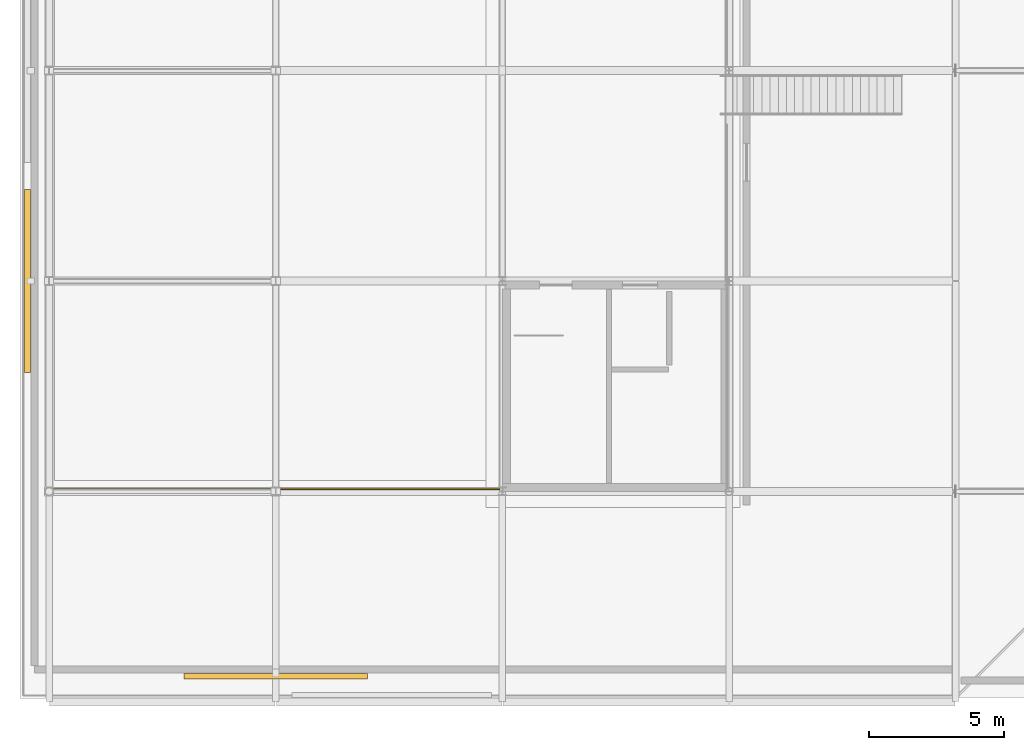
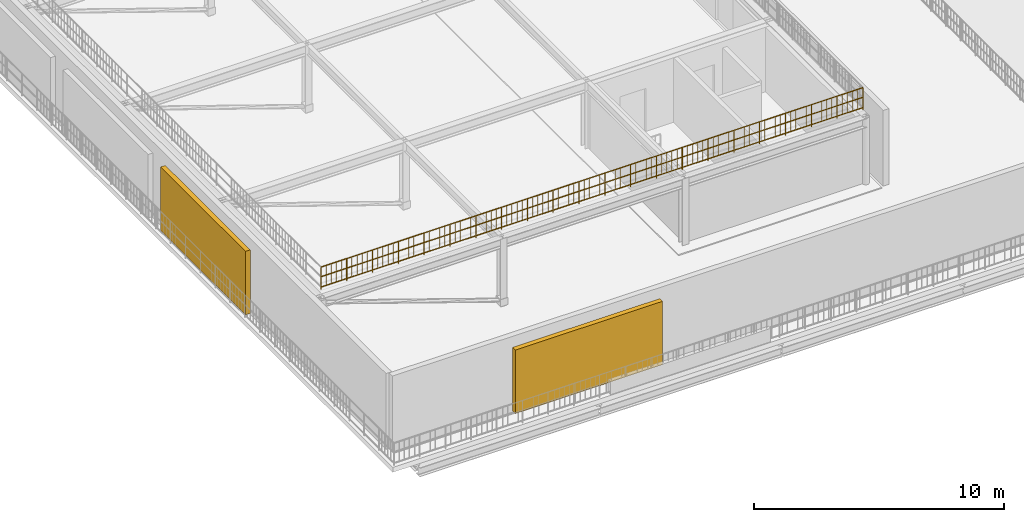
# One storey, part 8 of 16: 2 shading devices, 1 railing.
"""IFC4 building model written with IfcOpenShell, lengths in metres."""

from ifc_helpers import new_model, si_unit, direction, frame, origin, origin_2d, place, context, subcontext, project, spatial, rectangle, circle, extrude, material, layer, layer_set, type_object, element, save


model = new_model("IFC4")

# Units and contexts
model_context = context("Model", 3, precision=1e-05, world=origin(), true_north=direction((0.0, 1.0)))
body_context = subcontext(model_context, "Body", "Model", "MODEL_VIEW")
ifc_project = project(units=[si_unit("LENGTHUNIT", "METRE"), si_unit("AREAUNIT", "SQUARE_METRE"), si_unit("VOLUMEUNIT", "CUBIC_METRE"), si_unit("PLANEANGLEUNIT", "RADIAN"), si_unit("MASSUNIT", "GRAM", prefix="KILO")], contexts=[model_context])

# Site, building, storey
site_placement = place(None, origin())
site = spatial("IfcSite", under=ifc_project, at=site_placement, CompositionType="ELEMENT")
building_placement = place(site_placement, origin())
building = spatial("IfcBuilding", under=site, at=building_placement, Name="Nabrawat Pavilion Hospital", CompositionType="ELEMENT")
storey_placement = place(building_placement, frame((0.0, 0.0, 35.10009765625)))
storey = spatial("IfcBuildingStorey", under=building, at=storey_placement, Name="Roof", CompositionType="ELEMENT", Elevation=35.10009765625)

# Railing
ifc_material_1 = material(Name="Stainless Steel 316", Category="steel")
ifc_layer_1 = layer(ifc_material_1, 0.070068359375, Name="Stainless Steel 316")
ifc_layer_set_1 = layer_set([ifc_layer_1], Name="Stainless Steel 316")
railing_type = type_object("IfcRailingType", Name="Exterior Clinical Terrace Safety Guardrail 1100", PredefinedType="GUARDRAIL", material=ifc_layer_set_1)
railing_placement = place(storey_placement, frame((151.280029296875, 46.8798828125, 3.599853515625)))
element("IfcRailing", 1, at=railing_placement, inside=storey, type_object=railing_type, Name="Rooftop Helipad Deck Safety Perimeter Guardrail South", PredefinedType="GUARDRAIL", context=body_context, shape_type="SweptSolid", body=[
    extrude(circle(Radius=0.02392578125, at=origin_2d()), frame((0.0, 0.0, 1.076171875), z_axis=(1.0, 0.0, 0.0), x_axis=(0.0, 1.0, 0.0)), (0.0, 0.0, 1.0), 25.0400390625),
    extrude(circle(Radius=0.02392578125, at=origin_2d()), frame((0.0, 0.0, 0.10009765625), z_axis=(1.0, 0.0, 0.0), x_axis=(0.0, 1.0, 0.0)), (0.0, 0.0, 1.0), 25.0400390625),
    extrude(circle(Radius=0.02392578125, at=origin_2d()), frame((0.0, 0.0, 0.60498046875), z_axis=(1.0, 0.0, 0.0), x_axis=(0.0, 1.0, 0.0)), (0.0, 0.0, 1.0), 25.0400390625),
    extrude(circle(Radius=0.008056640625, at=origin_2d()), frame((0.238525390625, 0.0, 0.10009765625)), (0.0, 0.0, 1.0), 0.951904296875),
    extrude(circle(Radius=0.008056640625, at=origin_2d()), frame((0.47705078125, 0.0, 0.10009765625)), (0.0, 0.0, 1.0), 0.951904296875),
    extrude(circle(Radius=0.008056640625, at=origin_2d()), frame((0.71533203125, 0.0, 0.10009765625)), (0.0, 0.0, 1.0), 0.951904296875),
    extrude(circle(Radius=0.008056640625, at=origin_2d()), frame((0.953857421875, 0.0, 0.10009765625)), (0.0, 0.0, 1.0), 0.951904296875),
    extrude(circle(Radius=0.008056640625, at=origin_2d()), frame((1.430908203125, 0.0, 0.10009765625)), (0.0, 0.0, 1.0), 0.951904296875),
    extrude(circle(Radius=0.008056640625, at=origin_2d()), frame((1.66943359375, 0.0, 0.10009765625)), (0.0, 0.0, 1.0), 0.951904296875),
    extrude(circle(Radius=0.008056640625, at=origin_2d()), frame((1.90771484375, 0.0, 0.10009765625)), (0.0, 0.0, 1.0), 0.951904296875),
    extrude(circle(Radius=0.008056640625, at=origin_2d()), frame((2.146240234375, 0.0, 0.10009765625)), (0.0, 0.0, 1.0), 0.951904296875),
    extrude(circle(Radius=0.008056640625, at=origin_2d()), frame((2.623291015625, 0.0, 0.10009765625)), (0.0, 0.0, 1.0), 0.951904296875),
    extrude(circle(Radius=0.008056640625, at=origin_2d()), frame((2.86181640625, 0.0, 0.10009765625)), (0.0, 0.0, 1.0), 0.951904296875),
    extrude(circle(Radius=0.008056640625, at=origin_2d()), frame((3.10009765625, 0.0, 0.10009765625)), (0.0, 0.0, 1.0), 0.951904296875),
    extrude(circle(Radius=0.008056640625, at=origin_2d()), frame((3.338623046875, 0.0, 0.10009765625)), (0.0, 0.0, 1.0), 0.951904296875),
    extrude(circle(Radius=0.008056640625, at=origin_2d()), frame((3.815673828125, 0.0, 0.10009765625)), (0.0, 0.0, 1.0), 0.951904296875),
    extrude(circle(Radius=0.008056640625, at=origin_2d()), frame((4.05419921875, 0.0, 0.10009765625)), (0.0, 0.0, 1.0), 0.951904296875),
    extrude(circle(Radius=0.008056640625, at=origin_2d()), frame((4.29248046875, 0.0, 0.10009765625)), (0.0, 0.0, 1.0), 0.951904296875),
    extrude(circle(Radius=0.008056640625, at=origin_2d()), frame((4.531005859375, 0.0, 0.10009765625)), (0.0, 0.0, 1.0), 0.951904296875),
    extrude(circle(Radius=0.008056640625, at=origin_2d()), frame((5.008056640625, 0.0, 0.10009765625)), (0.0, 0.0, 1.0), 0.951904296875),
    extrude(circle(Radius=0.008056640625, at=origin_2d()), frame((5.24658203125, 0.0, 0.10009765625)), (0.0, 0.0, 1.0), 0.951904296875),
    extrude(circle(Radius=0.008056640625, at=origin_2d()), frame((5.48486328125, 0.0, 0.10009765625)), (0.0, 0.0, 1.0), 0.951904296875),
    extrude(circle(Radius=0.008056640625, at=origin_2d()), frame((5.723388671875, 0.0, 0.10009765625)), (0.0, 0.0, 1.0), 0.951904296875),
    extrude(circle(Radius=0.008056640625, at=origin_2d()), frame((6.200439453125, 0.0, 0.10009765625)), (0.0, 0.0, 1.0), 0.951904296875),
    extrude(circle(Radius=0.008056640625, at=origin_2d()), frame((6.43896484375, 0.0, 0.10009765625)), (0.0, 0.0, 1.0), 0.951904296875),
    extrude(circle(Radius=0.008056640625, at=origin_2d()), frame((6.67724609375, 0.0, 0.10009765625)), (0.0, 0.0, 1.0), 0.951904296875),
    extrude(circle(Radius=0.008056640625, at=origin_2d()), frame((6.915771484375, 0.0, 0.10009765625)), (0.0, 0.0, 1.0), 0.951904296875),
    extrude(circle(Radius=0.008056640625, at=origin_2d()), frame((7.392822265625, 0.0, 0.10009765625)), (0.0, 0.0, 1.0), 0.951904296875),
    extrude(circle(Radius=0.008056640625, at=origin_2d()), frame((7.63134765625, 0.0, 0.10009765625)), (0.0, 0.0, 1.0), 0.951904296875),
    extrude(circle(Radius=0.008056640625, at=origin_2d()), frame((7.86962890625, 0.0, 0.10009765625)), (0.0, 0.0, 1.0), 0.951904296875),
    extrude(circle(Radius=0.008056640625, at=origin_2d()), frame((8.108154296875, 0.0, 0.10009765625)), (0.0, 0.0, 1.0), 0.951904296875),
    extrude(circle(Radius=0.008056640625, at=origin_2d()), frame((8.585205078125, 0.0, 0.10009765625)), (0.0, 0.0, 1.0), 0.951904296875),
    extrude(circle(Radius=0.008056640625, at=origin_2d()), frame((8.82373046875, 0.0, 0.10009765625)), (0.0, 0.0, 1.0), 0.951904296875),
    extrude(circle(Radius=0.008056640625, at=origin_2d()), frame((9.06201171875, 0.0, 0.10009765625)), (0.0, 0.0, 1.0), 0.951904296875),
    extrude(circle(Radius=0.008056640625, at=origin_2d()), frame((9.300537109375, 0.0, 0.10009765625)), (0.0, 0.0, 1.0), 0.951904296875),
    extrude(circle(Radius=0.008056640625, at=origin_2d()), frame((9.777587890625, 0.0, 0.10009765625)), (0.0, 0.0, 1.0), 0.951904296875),
    extrude(circle(Radius=0.008056640625, at=origin_2d()), frame((10.01611328125, 0.0, 0.10009765625)), (0.0, 0.0, 1.0), 0.951904296875),
    extrude(circle(Radius=0.008056640625, at=origin_2d()), frame((10.25439453125, 0.0, 0.10009765625)), (0.0, 0.0, 1.0), 0.951904296875),
    extrude(circle(Radius=0.008056640625, at=origin_2d()), frame((10.492919921875, 0.0, 0.10009765625)), (0.0, 0.0, 1.0), 0.951904296875),
    extrude(circle(Radius=0.008056640625, at=origin_2d()), frame((10.969970703125, 0.0, 0.10009765625)), (0.0, 0.0, 1.0), 0.951904296875),
    extrude(circle(Radius=0.008056640625, at=origin_2d()), frame((11.20849609375, 0.0, 0.10009765625)), (0.0, 0.0, 1.0), 0.951904296875),
    extrude(circle(Radius=0.008056640625, at=origin_2d()), frame((11.44677734375, 0.0, 0.10009765625)), (0.0, 0.0, 1.0), 0.951904296875),
    extrude(circle(Radius=0.008056640625, at=origin_2d()), frame((11.685302734375, 0.0, 0.10009765625)), (0.0, 0.0, 1.0), 0.951904296875),
    extrude(circle(Radius=0.008056640625, at=origin_2d()), frame((12.162353515625, 0.0, 0.10009765625)), (0.0, 0.0, 1.0), 0.951904296875),
    extrude(circle(Radius=0.008056640625, at=origin_2d()), frame((12.40087890625, 0.0, 0.10009765625)), (0.0, 0.0, 1.0), 0.951904296875),
    extrude(circle(Radius=0.008056640625, at=origin_2d()), frame((12.63916015625, 0.0, 0.10009765625)), (0.0, 0.0, 1.0), 0.951904296875),
    extrude(circle(Radius=0.008056640625, at=origin_2d()), frame((12.877685546875, 0.0, 0.10009765625)), (0.0, 0.0, 1.0), 0.951904296875),
    extrude(circle(Radius=0.008056640625, at=origin_2d()), frame((13.354736328125, 0.0, 0.10009765625)), (0.0, 0.0, 1.0), 0.951904296875),
    extrude(circle(Radius=0.008056640625, at=origin_2d()), frame((13.59326171875, 0.0, 0.10009765625)), (0.0, 0.0, 1.0), 0.951904296875),
    extrude(circle(Radius=0.008056640625, at=origin_2d()), frame((13.83154296875, 0.0, 0.10009765625)), (0.0, 0.0, 1.0), 0.951904296875),
    extrude(circle(Radius=0.008056640625, at=origin_2d()), frame((14.070068359375, 0.0, 0.10009765625)), (0.0, 0.0, 1.0), 0.951904296875),
    extrude(circle(Radius=0.008056640625, at=origin_2d()), frame((14.547119140625, 0.0, 0.10009765625)), (0.0, 0.0, 1.0), 0.951904296875),
    extrude(circle(Radius=0.008056640625, at=origin_2d()), frame((14.78564453125, 0.0, 0.10009765625)), (0.0, 0.0, 1.0), 0.951904296875),
    extrude(circle(Radius=0.008056640625, at=origin_2d()), frame((15.02392578125, 0.0, 0.10009765625)), (0.0, 0.0, 1.0), 0.951904296875),
    extrude(circle(Radius=0.008056640625, at=origin_2d()), frame((15.262451171875, 0.0, 0.10009765625)), (0.0, 0.0, 1.0), 0.951904296875),
    extrude(circle(Radius=0.008056640625, at=origin_2d()), frame((15.739501953125, 0.0, 0.10009765625)), (0.0, 0.0, 1.0), 0.951904296875),
    extrude(circle(Radius=0.008056640625, at=origin_2d()), frame((15.97802734375, 0.0, 0.10009765625)), (0.0, 0.0, 1.0), 0.951904296875),
    extrude(circle(Radius=0.008056640625, at=origin_2d()), frame((16.21630859375, 0.0, 0.10009765625)), (0.0, 0.0, 1.0), 0.951904296875),
    extrude(circle(Radius=0.008056640625, at=origin_2d()), frame((16.454833984375, 0.0, 0.10009765625)), (0.0, 0.0, 1.0), 0.951904296875),
    extrude(circle(Radius=0.008056640625, at=origin_2d()), frame((16.931884765625, 0.0, 0.10009765625)), (0.0, 0.0, 1.0), 0.951904296875),
    extrude(circle(Radius=0.008056640625, at=origin_2d()), frame((17.17041015625, 0.0, 0.10009765625)), (0.0, 0.0, 1.0), 0.951904296875),
    extrude(circle(Radius=0.008056640625, at=origin_2d()), frame((17.40869140625, 0.0, 0.10009765625)), (0.0, 0.0, 1.0), 0.951904296875),
    extrude(circle(Radius=0.008056640625, at=origin_2d()), frame((17.647216796875, 0.0, 0.10009765625)), (0.0, 0.0, 1.0), 0.951904296875),
    extrude(circle(Radius=0.008056640625, at=origin_2d()), frame((18.124267578125, 0.0, 0.10009765625)), (0.0, 0.0, 1.0), 0.951904296875),
    extrude(circle(Radius=0.008056640625, at=origin_2d()), frame((18.36279296875, 0.0, 0.10009765625)), (0.0, 0.0, 1.0), 0.951904296875),
    extrude(circle(Radius=0.008056640625, at=origin_2d()), frame((18.60107421875, 0.0, 0.10009765625)), (0.0, 0.0, 1.0), 0.951904296875),
    extrude(circle(Radius=0.008056640625, at=origin_2d()), frame((18.839599609375, 0.0, 0.10009765625)), (0.0, 0.0, 1.0), 0.951904296875),
    extrude(circle(Radius=0.008056640625, at=origin_2d()), frame((19.316650390625, 0.0, 0.10009765625)), (0.0, 0.0, 1.0), 0.951904296875),
    extrude(circle(Radius=0.008056640625, at=origin_2d()), frame((19.55517578125, 0.0, 0.10009765625)), (0.0, 0.0, 1.0), 0.951904296875),
    extrude(circle(Radius=0.008056640625, at=origin_2d()), frame((19.79345703125, 0.0, 0.10009765625)), (0.0, 0.0, 1.0), 0.951904296875),
    extrude(circle(Radius=0.008056640625, at=origin_2d()), frame((20.031982421875, 0.0, 0.10009765625)), (0.0, 0.0, 1.0), 0.951904296875),
    extrude(circle(Radius=0.008056640625, at=origin_2d()), frame((20.509033203125, 0.0, 0.10009765625)), (0.0, 0.0, 1.0), 0.951904296875),
    extrude(circle(Radius=0.008056640625, at=origin_2d()), frame((20.74755859375, 0.0, 0.10009765625)), (0.0, 0.0, 1.0), 0.951904296875),
    extrude(circle(Radius=0.008056640625, at=origin_2d()), frame((20.98583984375, 0.0, 0.10009765625)), (0.0, 0.0, 1.0), 0.951904296875),
    extrude(circle(Radius=0.008056640625, at=origin_2d()), frame((21.224365234375, 0.0, 0.10009765625)), (0.0, 0.0, 1.0), 0.951904296875),
    extrude(circle(Radius=0.008056640625, at=origin_2d()), frame((21.701416015625, 0.0, 0.10009765625)), (0.0, 0.0, 1.0), 0.951904296875),
    extrude(circle(Radius=0.008056640625, at=origin_2d()), frame((21.93994140625, 0.0, 0.10009765625)), (0.0, 0.0, 1.0), 0.951904296875),
    extrude(circle(Radius=0.008056640625, at=origin_2d()), frame((22.17822265625, 0.0, 0.10009765625)), (0.0, 0.0, 1.0), 0.951904296875),
    extrude(circle(Radius=0.008056640625, at=origin_2d()), frame((22.416748046875, 0.0, 0.10009765625)), (0.0, 0.0, 1.0), 0.951904296875),
    extrude(circle(Radius=0.008056640625, at=origin_2d()), frame((22.893798828125, 0.0, 0.10009765625)), (0.0, 0.0, 1.0), 0.951904296875),
    extrude(circle(Radius=0.008056640625, at=origin_2d()), frame((23.13232421875, 0.0, 0.10009765625)), (0.0, 0.0, 1.0), 0.951904296875),
    extrude(circle(Radius=0.008056640625, at=origin_2d()), frame((23.37060546875, 0.0, 0.10009765625)), (0.0, 0.0, 1.0), 0.951904296875),
    extrude(circle(Radius=0.008056640625, at=origin_2d()), frame((23.609130859375, 0.0, 0.10009765625)), (0.0, 0.0, 1.0), 0.951904296875),
    extrude(circle(Radius=0.008056640625, at=origin_2d()), frame((24.086181640625, 0.0, 0.10009765625)), (0.0, 0.0, 1.0), 0.951904296875),
    extrude(circle(Radius=0.008056640625, at=origin_2d()), frame((24.32470703125, 0.0, 0.10009765625)), (0.0, 0.0, 1.0), 0.951904296875),
    extrude(circle(Radius=0.008056640625, at=origin_2d()), frame((24.56298828125, 0.0, 0.10009765625)), (0.0, 0.0, 1.0), 0.951904296875),
    extrude(circle(Radius=0.008056640625, at=origin_2d()), frame((24.801513671875, 0.0, 0.10009765625)), (0.0, 0.0, 1.0), 0.951904296875),
    extrude(circle(Radius=0.02099609375, at=origin_2d()), origin(), (0.0, 0.0, 1.0), 1.052001953125),
    extrude(circle(Radius=0.02099609375, at=origin_2d()), frame((1.1923828125, 0.0, 0.0)), (0.0, 0.0, 1.0), 1.052001953125),
    extrude(circle(Radius=0.02099609375, at=origin_2d()), frame((2.384765625, 0.0, 0.0)), (0.0, 0.0, 1.0), 1.052001953125),
    extrude(circle(Radius=0.02099609375, at=origin_2d()), frame((3.5771484375, 0.0, 0.0)), (0.0, 0.0, 1.0), 1.052001953125),
    extrude(circle(Radius=0.02099609375, at=origin_2d()), frame((4.76953125, 0.0, 0.0)), (0.0, 0.0, 1.0), 1.052001953125),
    extrude(circle(Radius=0.02099609375, at=origin_2d()), frame((5.9619140625, 0.0, 0.0)), (0.0, 0.0, 1.0), 1.052001953125),
    extrude(circle(Radius=0.02099609375, at=origin_2d()), frame((7.154296875, 0.0, 0.0)), (0.0, 0.0, 1.0), 1.052001953125),
    extrude(circle(Radius=0.02099609375, at=origin_2d()), frame((8.3466796875, 0.0, 0.0)), (0.0, 0.0, 1.0), 1.052001953125),
    extrude(circle(Radius=0.02099609375, at=origin_2d()), frame((9.5390625, 0.0, 0.0)), (0.0, 0.0, 1.0), 1.052001953125),
    extrude(circle(Radius=0.02099609375, at=origin_2d()), frame((10.7314453125, 0.0, 0.0)), (0.0, 0.0, 1.0), 1.052001953125),
    extrude(circle(Radius=0.02099609375, at=origin_2d()), frame((11.923828125, 0.0, 0.0)), (0.0, 0.0, 1.0), 1.052001953125),
    extrude(circle(Radius=0.02099609375, at=origin_2d()), frame((13.1162109375, 0.0, 0.0)), (0.0, 0.0, 1.0), 1.052001953125),
    extrude(circle(Radius=0.02099609375, at=origin_2d()), frame((14.30859375, 0.0, 0.0)), (0.0, 0.0, 1.0), 1.052001953125),
    extrude(circle(Radius=0.02099609375, at=origin_2d()), frame((15.5009765625, 0.0, 0.0)), (0.0, 0.0, 1.0), 1.052001953125),
    extrude(circle(Radius=0.02099609375, at=origin_2d()), frame((16.693359375, 0.0, 0.0)), (0.0, 0.0, 1.0), 1.052001953125),
    extrude(circle(Radius=0.02099609375, at=origin_2d()), frame((17.8857421875, 0.0, 0.0)), (0.0, 0.0, 1.0), 1.052001953125),
    extrude(circle(Radius=0.02099609375, at=origin_2d()), frame((19.078125, 0.0, 0.0)), (0.0, 0.0, 1.0), 1.052001953125),
    extrude(circle(Radius=0.02099609375, at=origin_2d()), frame((20.2705078125, 0.0, 0.0)), (0.0, 0.0, 1.0), 1.052001953125),
    extrude(circle(Radius=0.02099609375, at=origin_2d()), frame((21.462890625, 0.0, 0.0)), (0.0, 0.0, 1.0), 1.052001953125),
    extrude(circle(Radius=0.02099609375, at=origin_2d()), frame((22.6552734375, 0.0, 0.0)), (0.0, 0.0, 1.0), 1.052001953125),
    extrude(circle(Radius=0.02099609375, at=origin_2d()), frame((23.84765625, 0.0, 0.0)), (0.0, 0.0, 1.0), 1.052001953125),
    extrude(circle(Radius=0.02099609375, at=origin_2d()), frame((25.0400390625, 0.0, 0.0)), (0.0, 0.0, 1.0), 1.052001953125),
])

# Shading devices
ifc_material_2 = material(Name="Anodised Aluminium", Category="aluminium")
ifc_layer_2 = layer(ifc_material_2, 3.10009765625, Name="Anodised Aluminium")
ifc_layer_set_2 = layer_set([ifc_layer_2], Name="Anodised Aluminium")
shading_device_type = type_object("IfcShadingDeviceType", Name="Helipad Crown Acoustic Mechanical Louver Screen", PredefinedType="JALOUSIE", material=ifc_layer_set_2)
for number, where, z_axis, x_axis, name in (
    (2, (150.39990234375, 54.60009765625, 0.06982421875), (0.0, 0.0, 1.0), (0.0, 1.0, 0.0), "Roof Helipad Undercroft Acoustic Louver Screen 01"),
    (3, (159.60009765625, 39.949951171875, 0.06982421875), (0.0, 0.0, 1.0), (1.0, 0.0, 0.0), "Roof Helipad Undercroft Acoustic Louver Screen 04"),
):
    element("IfcShadingDevice", number, at=place(storey_placement, frame(where, z_axis=z_axis, x_axis=x_axis)), inside=storey, type_object=shading_device_type, Name=name, PredefinedType="JALOUSIE", context=body_context, shape_type="SweptSolid", body=[
        extrude(rectangle(XDim=6.800048828125, YDim=0.219970703125, at=origin_2d()), origin(), (0.0, 0.0, 1.0), 3.10009765625),
    ])

save(model, "model.ifc")
